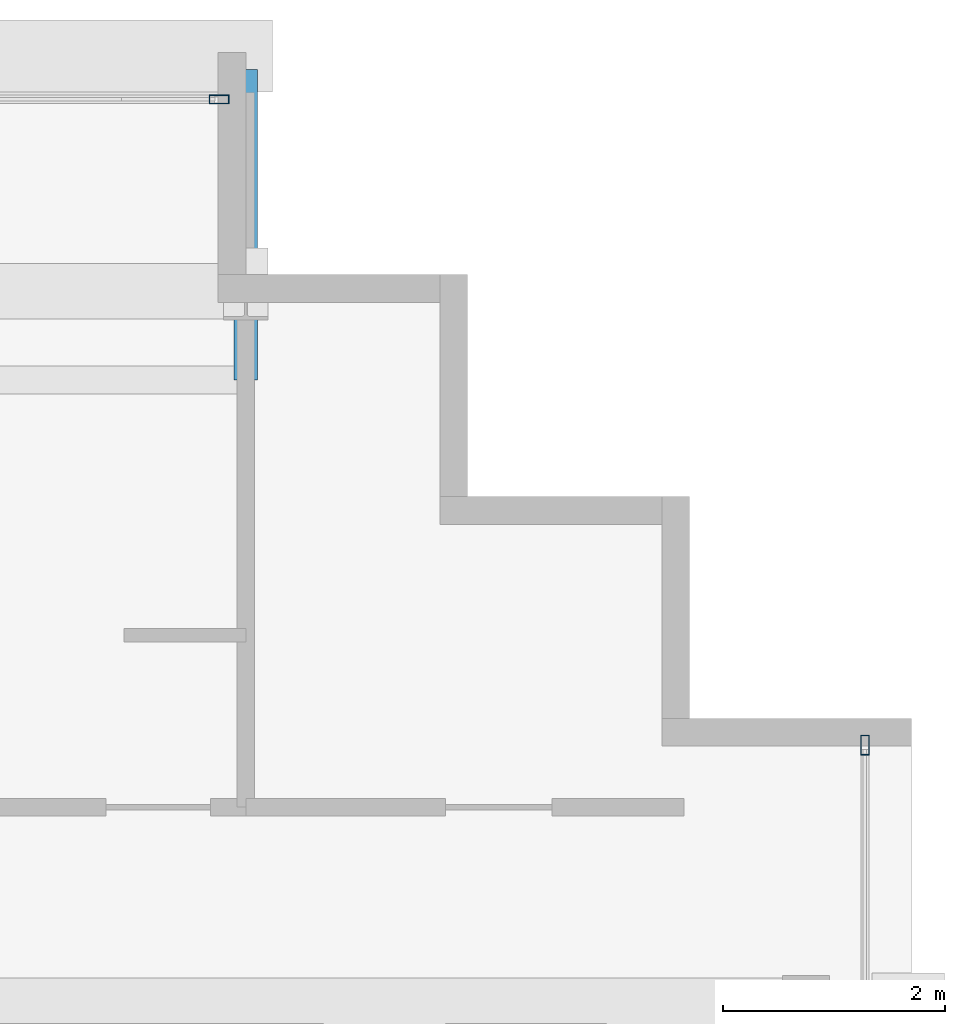
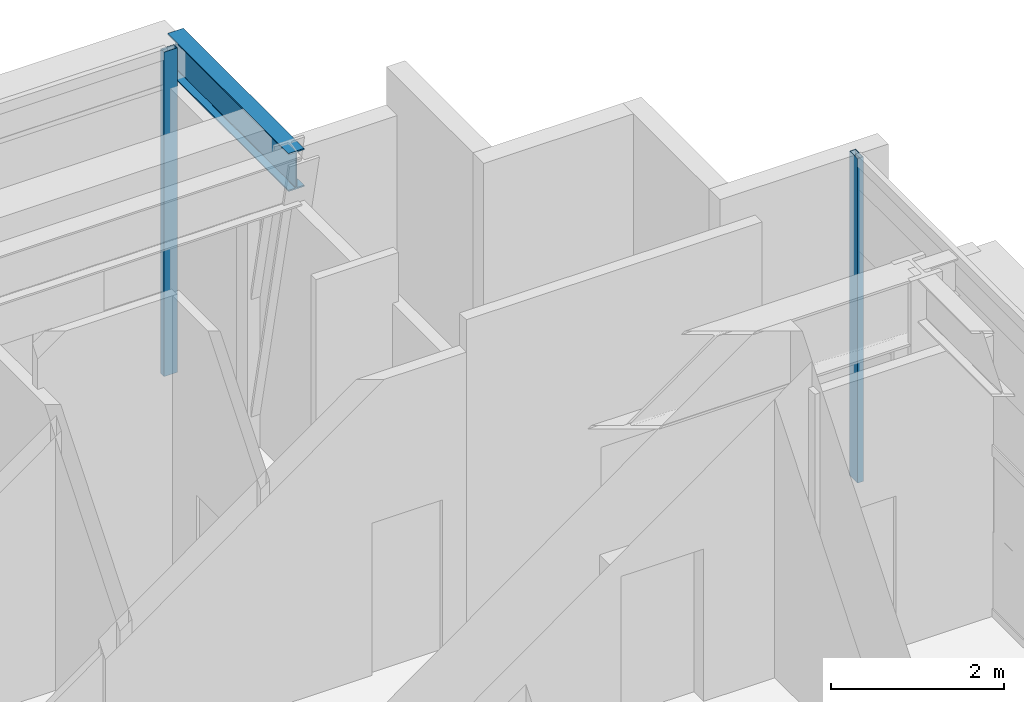
# One storey, part 18 of 31: 2 members, 1 beam, 2 elements without a shape of their own.
"""IFC4 building model written with IfcOpenShell, lengths in metres."""

import ifcopenshell
import ifcopenshell.guid

model = None  # the IFC model being written
_history = None  # IfcOwnerHistory: only IFC2X3 demands one
_inside = {}  # id of a spatial element -> (the spatial element, [elements in it])
_under = {}  # id of a project, library or spatial element -> (it, [spatial elements below it])
_declared = {}  # id of a project -> (the project, [libraries it declares])
_typed = {}  # id of a type object -> (the type object, [elements of that type])
_made_of = {}  # id of a material, layer set ... -> (it, [elements and type objects made of it])


def new_model(schema):
    """Start an empty IFC model of exactly this schema.

    Asked for "IFC4X3", IfcOpenShell would pick the latest addendum, in which some entities
    have other attributes; the version numbers below select the first issue.
    IFC2X3 requires an IfcOwnerHistory on every rooted entity: one is made here for all.
    """
    global model, _history
    if schema == "IFC4X3":
        model = ifcopenshell.file(schema_version=(4, 3, 0, 0))
    else:
        model = ifcopenshell.file(schema=schema)
    _inside.clear()
    _under.clear()
    _declared.clear()
    _typed.clear()
    _made_of.clear()
    _history = None
    if model.schema == "IFC2X3":
        org = make("IfcOrganization", Name="unknown")
        user = make(
            "IfcPersonAndOrganization",
            ThePerson=make("IfcPerson", FamilyName="unknown"),
            TheOrganization=org,
        )
        app = make(
            "IfcApplication",
            ApplicationDeveloper=org,
            Version="unknown",
            ApplicationFullName="unknown",
            ApplicationIdentifier="unknown",
        )
        _history = make(
            "IfcOwnerHistory",
            OwningUser=user,
            OwningApplication=app,
            ChangeAction="ADDED",
            CreationDate=0,
        )
    return model


def make(cls, **values):
    """One entity of the class cls with the attributes given. An attribute that is None is left unset."""
    return model.create_entity(
        cls, **{name: value for name, value in values.items() if value is not None}
    )


def rooted(cls, **values):
    """An entity with a GlobalId (a new one), such as an element, a storey or a relation."""
    return make(cls, GlobalId=ifcopenshell.guid.new(), OwnerHistory=_history, **values)


def si_unit(unit_type, name, prefix=None):
    """IfcSIUnit, for example si_unit("LENGTHUNIT", "METRE", prefix="MILLI")."""
    return make("IfcSIUnit", UnitType=unit_type, Prefix=prefix, Name=name)


def assignment(units):
    """IfcUnitAssignment: the units of a project."""
    return None if units is None else make("IfcUnitAssignment", Units=units)


def point(xyz):
    """IfcCartesianPoint."""
    return None if xyz is None else make("IfcCartesianPoint", Coordinates=xyz)


def direction(xyz):
    """IfcDirection."""
    return None if xyz is None else make("IfcDirection", DirectionRatios=xyz)


def frame(location, z_axis=None, x_axis=None):
    """IfcAxis2Placement3D, a coordinate frame: its origin and axes. An axis left out is left unset."""
    return make(
        "IfcAxis2Placement3D",
        Location=point(location),
        Axis=direction(z_axis),
        RefDirection=direction(x_axis),
    )


def frame_2d(location, x_axis=None):
    """IfcAxis2Placement2D, a coordinate frame in the plane: its origin and x axis."""
    return make(
        "IfcAxis2Placement2D", Location=point(location), RefDirection=direction(x_axis)
    )


def origin():
    """The frame at (0, 0, 0) with its axes left unset."""
    return frame((0.0, 0.0, 0.0))


def origin_2d():
    """The frame at (0, 0) in the plane with its x axis left unset."""
    return frame_2d((0.0, 0.0))


def place(relative_to, where):
    """IfcLocalPlacement: puts the frame where relative to a parent placement (None: the world)."""
    return make(
        "IfcLocalPlacement", PlacementRelTo=relative_to, RelativePlacement=where
    )


def context(
    kind, dimensions, precision=None, world=None, true_north=None, identifier=None
):
    """IfcGeometricRepresentationContext, for example the 3D "Model" context."""
    return make(
        "IfcGeometricRepresentationContext",
        ContextIdentifier=identifier,
        ContextType=kind,
        CoordinateSpaceDimension=dimensions,
        Precision=precision,
        WorldCoordinateSystem=world,
        TrueNorth=true_north,
    )


def subcontext(parent, identifier, kind, view, scale=None):
    """IfcGeometricRepresentationSubContext, for example "Body" below "Model"."""
    return make(
        "IfcGeometricRepresentationSubContext",
        ContextIdentifier=identifier,
        ContextType=kind,
        ParentContext=parent,
        TargetScale=scale,
        TargetView=view,
    )


def project(units=None, contexts=None):
    """IfcProject with its units and contexts."""
    return rooted(
        "IfcProject",
        Name="project",
        RepresentationContexts=contexts,
        UnitsInContext=assignment(units),
    )


def spatial(cls, under=None, at=None, **own):
    """A site, building, storey or space (cls), placed at a placement, below another one or the project."""
    s = rooted(cls, ObjectPlacement=at, **own)
    if under is not None:
        _under.setdefault(under.id(), (under, []))[1].append(s)
    return s


def profile(cls, at=None, kind="AREA", **sizes):
    """A parametric profile (cls). Its sizes go by their IFC names, for example OverallWidth=200.0."""
    return make(cls, ProfileType=kind, Position=at, **sizes)


def hollow_rectangle(**sizes):
    """IfcRectangleHollowProfileDef."""
    return profile("IfcRectangleHollowProfileDef", **sizes)


def i_section(**sizes):
    """IfcIShapeProfileDef."""
    return profile("IfcIShapeProfileDef", **sizes)


def extrude(swept, where, along, depth):
    """IfcExtrudedAreaSolid: the profile swept, set in the frame where, extruded along a direction by depth."""
    return make(
        "IfcExtrudedAreaSolid",
        SweptArea=swept,
        Position=where,
        ExtrudedDirection=direction(along),
        Depth=depth,
    )


def shape(context_of_items, identifier, shape_type, items):
    """IfcShapeRepresentation: the items that make up one representation, for example the "Body"."""
    return make(
        "IfcShapeRepresentation",
        ContextOfItems=context_of_items,
        RepresentationIdentifier=identifier,
        RepresentationType=shape_type,
        Items=items,
    )


def source(mapping_origin, context_of_items, identifier, shape_type, items):
    """IfcRepresentationMap: a shape defined once, which mapped items show again and again."""
    return make(
        "IfcRepresentationMap",
        MappingOrigin=mapping_origin,
        MappedRepresentation=shape(context_of_items, identifier, shape_type, items),
    )


def transform(
    local_origin,
    x_axis=None,
    y_axis=None,
    z_axis=None,
    scale=None,
    scale2=None,
    scale3=None,
    uniform=True,
):
    """IfcCartesianTransformationOperator3D, or its non-uniform kind. x_axis, y_axis, z_axis: its Axis1, 2, 3."""
    if uniform:
        return make(
            "IfcCartesianTransformationOperator3D",
            Axis1=direction(x_axis),
            Axis2=direction(y_axis),
            LocalOrigin=point(local_origin),
            Scale=scale,
            Axis3=direction(z_axis),
        )
    return make(
        "IfcCartesianTransformationOperator3DnonUniform",
        Axis1=direction(x_axis),
        Axis2=direction(y_axis),
        LocalOrigin=point(local_origin),
        Scale=scale,
        Axis3=direction(z_axis),
        Scale2=scale2,
        Scale3=scale3,
    )


def mapped(mapping_source, mapping_target):
    """IfcMappedItem: shows the shape of a source again, moved by a transform."""
    return make(
        "IfcMappedItem", MappingSource=mapping_source, MappingTarget=mapping_target
    )


def material(Name=None, Category=None):
    """IfcMaterial."""
    return make("IfcMaterial", Name=Name, Category=Category)


def layer(
    of_material, thickness, ventilated=None, Name=None, Category=None, Priority=None
):
    """IfcMaterialLayer: one layer of a wall or slab, of a material (None: an air gap)."""
    return make(
        "IfcMaterialLayer",
        Material=of_material,
        LayerThickness=thickness,
        IsVentilated=ventilated,
        Name=Name,
        Category=Category,
        Priority=Priority,
    )


def layer_set(layers, Name=None):
    """IfcMaterialLayerSet."""
    return make("IfcMaterialLayerSet", MaterialLayers=layers, LayerSetName=Name)


def material_profile(
    of_material, cross_section, Name=None, Category=None, Priority=None
):
    """IfcMaterialProfile: a cross section and its material."""
    return make(
        "IfcMaterialProfile",
        Name=Name,
        Material=of_material,
        Profile=cross_section,
        Priority=Priority,
        Category=Category,
    )


def profile_set(profiles, Name=None, composite=None):
    """IfcMaterialProfileSet."""
    return make(
        "IfcMaterialProfileSet",
        Name=Name,
        MaterialProfiles=profiles,
        CompositeProfile=composite,
    )


def made_of(thing, what):
    """Note that an element or type object is made of a material, layer set ...; save() writes the relation."""
    if what is not None:
        _made_of.setdefault(what.id(), (what, []))[1].append(thing)
    return thing


def type_object(cls, material=None, **own):
    """A type object (cls), such as IfcWallType, which elements share."""
    return made_of(rooted(cls, **own), material)


def element(
    cls,
    number,
    at=None,
    inside=None,
    cuts=None,
    type_object=None,
    material=None,
    context=None,
    identifier="Body",
    shape_type=None,
    held_by="IfcProductDefinitionShape",
    body=None,
    shapes=None,
    **own,
):
    """One element of the class cls, such as IfcWall. Its Tag is "e" and its number.

    at: its placement. inside: the storey or other place that contains it. cuts: it is an
    opening in that element (IfcRelVoidsElement). A single representation is given by context,
    identifier, shape_type and body (its items); several are given by shapes. held_by: the class
    of the entity that holds the representations. save() writes the other relations.
    """
    e = rooted(cls, Tag="e%d" % number, ObjectPlacement=at, **own)
    if body is not None:
        shapes = [shape(context, identifier, shape_type, body)]
    if shapes is not None:
        e.Representation = make(held_by, Representations=shapes)
    if inside is not None:
        _inside.setdefault(inside.id(), (inside, []))[1].append(e)
    if cuts is not None:
        rooted(
            "IfcRelVoidsElement", RelatingBuildingElement=cuts, RelatedOpeningElement=e
        )
    if type_object is not None:
        _typed.setdefault(type_object.id(), (type_object, []))[1].append(e)
    return made_of(e, material)


def aggregate(whole, parts):
    """IfcRelAggregates: a whole, such as a stair, and the parts it consists of."""
    return rooted("IfcRelAggregates", RelatingObject=whole, RelatedObjects=parts)


def save(model, path):
    """Write the relations noted so far, then the file.

    IfcRelAggregates (storeys below a building ...), IfcRelContainedInSpatialStructure (elements
    in a storey), IfcRelDefinesByType, IfcRelAssociatesMaterial and IfcRelDeclares: one each for
    every whole, place, type object, material and project.
    """
    for whole, parts in _under.values():
        aggregate(whole, parts)
    for where, things in _inside.values():
        rooted(
            "IfcRelContainedInSpatialStructure",
            RelatedElements=things,
            RelatingStructure=where,
        )
    for kind, things in _typed.values():
        rooted("IfcRelDefinesByType", RelatedObjects=things, RelatingType=kind)
    for what, things in _made_of.values():
        rooted("IfcRelAssociatesMaterial", RelatedObjects=things, RelatingMaterial=what)
    for by, libraries in _declared.values():
        rooted("IfcRelDeclares", RelatingContext=by, RelatedDefinitions=libraries)
    model.write(path)


model = new_model("IFC4")

# Units and contexts
model_context = context("Model", 3, precision=1e-05, world=origin(), true_north=direction((0.0, 1.0)))
body_context = subcontext(model_context, "Body", "Model", "MODEL_VIEW")
ifc_project = project(units=[si_unit("LENGTHUNIT", "METRE"), si_unit("AREAUNIT", "SQUARE_METRE"), si_unit("VOLUMEUNIT", "CUBIC_METRE"), si_unit("PLANEANGLEUNIT", "RADIAN"), si_unit("MASSUNIT", "GRAM", prefix="KILO")], contexts=[model_context])

# Site, building, storey
site_placement = place(None, origin())
site = spatial("IfcSite", under=ifc_project, at=site_placement, CompositionType="ELEMENT")
building_placement = place(site_placement, origin())
building = spatial("IfcBuilding", under=site, at=building_placement, Name="Ocotamira Hotel", CompositionType="ELEMENT")
storey_placement = place(building_placement, frame((0.0, 0.0, 228.0)))
storey = spatial("IfcBuildingStorey", under=building, at=storey_placement, Name="L57", CompositionType="ELEMENT", Elevation=228.0)

# Beam
ifc_material_1 = material(Name="Steel ASTM A992 Grade 50", Category="steel")
ifc_material_profile_1 = material_profile(ifc_material_1, i_section(OverallWidth=0.2099609375, OverallDepth=0.537109375, WebThickness=0.010986328125, FlangeThickness=0.017333984375, FilletRadius=0.012939453125, at=origin_2d()), Name="W21X68")
ifc_profile_set_1 = profile_set([ifc_material_profile_1], Name="Steel ASTM A992 Grade 50")
beam_type = type_object("IfcBeamType", Name="BM-SEC-W21X68", PredefinedType="JOIST", material=ifc_profile_set_1)
shared_shape_1 = source(origin(), body_context, "Body", "SweptSolid", [
    extrude(i_section(OverallWidth=0.2099609375, OverallDepth=0.537109375, WebThickness=0.010986328125, FlangeThickness=0.017333984375, FilletRadius=0.012939453125, at=origin_2d()), origin(), (0.0, 0.0, 1.0), 2.800048828125),
])
beam_placement = place(storey_placement, frame((50.0, 43.050048828125, 4.3115234375), z_axis=(0.0, 1.0, 0.0), x_axis=(-1.0, 0.0, 0.0)))
element("IfcBeam", 1, at=beam_placement, inside=storey, type_object=beam_type, Name="L57 North Edge Header X50", PredefinedType="JOIST", context=body_context, shape_type="MappedRepresentation", body=[
    mapped(shared_shape_1, transform((0.0, 0.0, 0.0), scale=1.0)),
])

# Curtain wall, member
ifc_material_2 = material(Name="Anodised pale-metal aluminium and solar glass", Category="aluminium")
ifc_layer = layer(ifc_material_2, 0.239990234375)
ifc_layer_set = layer_set([ifc_layer], Name="Anodised pale-metal aluminium and solar glass")
curtain_wall_type = type_object("IfcCurtainWallType", Name="CW-SYS5-SKY", PredefinedType="NOTDEFINED", material=ifc_layer_set)
curtain_wall_1_placement = place(storey_placement, origin())
curtain_wall_1 = element("IfcCurtainWall", 2, at=curtain_wall_1_placement, inside=storey, type_object=curtain_wall_type, Name="L57 Curtain Wall CW-5 CW-L57-N", PredefinedType="NOTDEFINED")
ifc_material_3 = material(Name="Anodised pale-metal aluminium 6063-T6", Category="aluminium")
ifc_material_profile_2 = material_profile(ifc_material_3, hollow_rectangle(XDim=0.080078125, YDim=0.179931640625, WallThickness=0.006103515625, at=origin_2d()), Name="HSS180X80X6")
ifc_profile_set_2 = profile_set([ifc_material_profile_2], Name="Anodised pale-metal aluminium 6063-T6")
member_type = type_object("IfcMemberType", Name="CWM-180X75", PredefinedType="MULLION", material=ifc_profile_set_2)
shared_shape_2 = source(origin(), body_context, "Body", "SweptSolid", [
    extrude(hollow_rectangle(XDim=0.080078125, YDim=0.179931640625, WallThickness=0.006103515625, at=origin_2d()), origin(), (0.0, 0.0, 1.0), 4.580078125),
])
member_1_placement = place(storey_placement, frame((49.760009765625, 45.580078125, 0.0), z_axis=(0.0, 0.0, 1.0), x_axis=(0.0, 1.0, 0.0)))
member_1 = element("IfcMember", 3, at=member_1_placement, type_object=member_type, Name="CW-5 mullion 10", PredefinedType="MULLION", context=body_context, shape_type="MappedRepresentation", body=[
    mapped(shared_shape_2, transform((0.0, 0.0, 0.0), scale=1.0)),
])
aggregate(curtain_wall_1, [member_1])

curtain_wall_2_placement = place(storey_placement, origin())
curtain_wall_2 = element("IfcCurtainWall", 4, at=curtain_wall_2_placement, inside=storey, type_object=curtain_wall_type, Name="L57 Curtain Wall CW-5 CW-L57-E", PredefinedType="NOTDEFINED")
member_2_placement = place(storey_placement, frame((55.580078125, 39.760009765625, 0.0), z_axis=(0.0, 0.0, 1.0), x_axis=(-1.0, 0.0, 0.0)))
member_2 = element("IfcMember", 5, at=member_2_placement, type_object=member_type, Name="CW-5 mullion 6", PredefinedType="MULLION", context=body_context, shape_type="MappedRepresentation", body=[
    mapped(shared_shape_2, transform((0.0, 0.0, 0.0), scale=1.0)),
])
aggregate(curtain_wall_2, [member_2])

save(model, "model.ifc")
